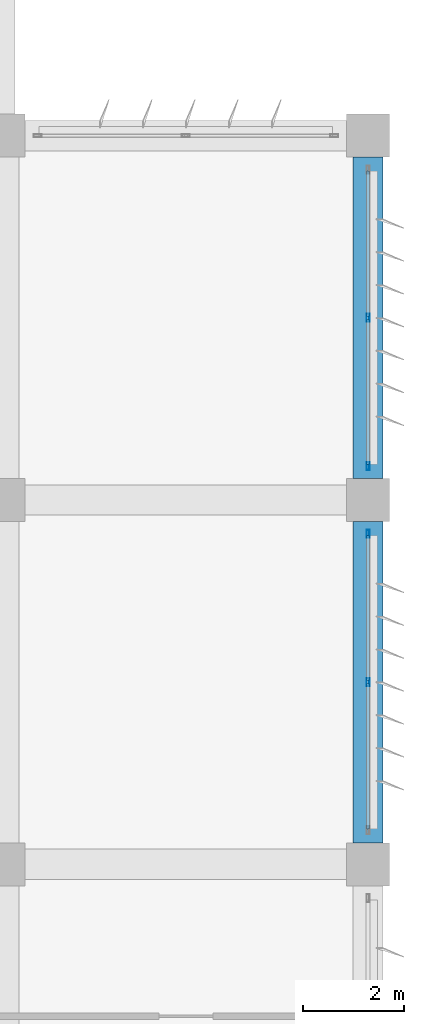
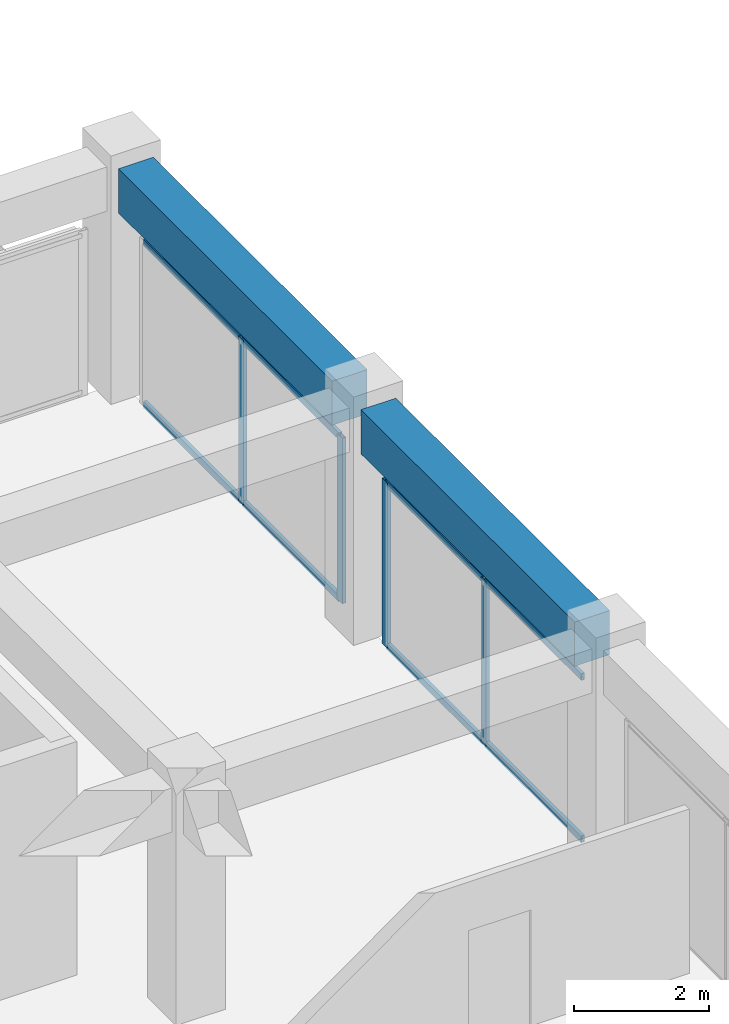
# One storey, part 22 of 48: 12 members, 2 beams, 2 elements without a shape of their own.
"""IFC4 building model written with IfcOpenShell, lengths in metres."""

from ifc_helpers import new_model, si_unit, direction, frame, origin, origin_2d, place, context, subcontext, project, spatial, rectangle, hollow_rectangle, extrude, material, material_profile, profile_set, type_object, element, aggregate, save


model = new_model("IFC4")

# Units and contexts
model_context = context("Model", 3, precision=1e-05, world=origin(), true_north=direction((0.0, 1.0)))
body_context = subcontext(model_context, "Body", "Model", "MODEL_VIEW")
ifc_project = project(units=[si_unit("LENGTHUNIT", "METRE"), si_unit("AREAUNIT", "SQUARE_METRE"), si_unit("VOLUMEUNIT", "CUBIC_METRE"), si_unit("PLANEANGLEUNIT", "RADIAN"), si_unit("MASSUNIT", "GRAM", prefix="KILO")], contexts=[model_context])

# Site, building, storey
site_placement = place(None, origin())
site = spatial("IfcSite", under=ifc_project, at=site_placement, CompositionType="ELEMENT")
building_placement = place(site_placement, origin())
building = spatial("IfcBuilding", under=site, at=building_placement, Name="Kazehaya Institute of Natural Sciences", CompositionType="ELEMENT")
storey_placement = place(building_placement, frame((0.0, 0.0, 19.800048828125)))
storey = spatial("IfcBuildingStorey", under=building, at=storey_placement, Name="L04", CompositionType="ELEMENT", Elevation=19.800048828125)

# Beams
ifc_material_1 = material(Name="Concrete Fc36", Category="concrete")
ifc_material_profile_1 = material_profile(ifc_material_1, rectangle(XDim=0.60009765625, YDim=0.800048828125, at=origin_2d()), Name="RC-600x800")
ifc_profile_set_1 = profile_set([ifc_material_profile_1], Name="Concrete Fc36")
beam_type = type_object("IfcBeamType", Name="BM-G-600x800", PredefinedType="BEAM", material=ifc_profile_set_1)
for number, where, z_axis, x_axis, name in (
    (1, (119.39990234375, 21.625, 3.829833984375), (0.0, 1.0, 0.0), (-1.0, 0.0, 0.0), "L04 primary Y girder BMY-L04-1194-212"),
    (2, (119.39990234375, 28.824951171875, 3.829833984375), (0.0, 1.0, 0.0), (-1.0, 0.0, 0.0), "L04 primary Y girder BMY-L04-1194-284"),
):
    element("IfcBeam", number, at=place(storey_placement, frame(where, z_axis=z_axis, x_axis=x_axis)), inside=storey, type_object=beam_type, Name=name, PredefinedType="BEAM", context=body_context, shape_type="SweptSolid", body=[
        extrude(rectangle(XDim=0.60009765625, YDim=0.800048828125, at=origin_2d()), origin(), (0.0, 0.0, 1.0), 6.35009765625),
    ])

# Curtain wall, members
ifc_material_2 = material(Name="Aluminium alloy A6063S-T5", Category="aluminium")
curtain_wall_type = type_object("IfcCurtainWallType", Name="CW-SYS-10", PredefinedType="NOTDEFINED", material=ifc_material_2)
curtain_wall_1_placement = place(storey_placement, origin())
curtain_wall_1 = element("IfcCurtainWall", 3, at=curtain_wall_1_placement, inside=storey, type_object=curtain_wall_type, Name="L04 unitised curtain wall CW-L04-091", PredefinedType="NOTDEFINED")
ifc_material_profile_2 = material_profile(ifc_material_2, hollow_rectangle(XDim=0.06005859375, YDim=0.159912109375, WallThickness=0.00390625, at=origin_2d()), Name="ALU-60x160x4")
ifc_profile_set_2 = profile_set([ifc_material_profile_2], Name="Aluminium alloy A6063S-T5")
member_type_1 = type_object("IfcMemberType", Name="CWM-160", PredefinedType="MULLION", material=ifc_profile_set_2)
member_1_placement = place(storey_placement, frame((119.39990234375, 27.72998046875, 0.0), z_axis=(0.0, 0.0, 1.0), x_axis=(1.0, 0.0, 0.0)))
member_1 = element("IfcMember", 4, at=member_1_placement, type_object=member_type_1, Name="CW10 mullion 1", PredefinedType="MULLION", context=body_context, shape_type="SweptSolid", body=[
    extrude(hollow_rectangle(XDim=0.06005859375, YDim=0.159912109375, WallThickness=0.00390625, at=origin_2d()), origin(), (0.0, 0.0, 1.0), 3.0),
])
member_2_placement = place(storey_placement, frame((119.39990234375, 24.800048828125, 0.0), z_axis=(0.0, 0.0, 1.0), x_axis=(1.0, 0.0, 0.0)))
member_2 = element("IfcMember", 5, at=member_2_placement, type_object=member_type_1, Name="CW10 mullion 2", PredefinedType="MULLION", context=body_context, shape_type="SweptSolid", body=[
    extrude(hollow_rectangle(XDim=0.06005859375, YDim=0.159912109375, WallThickness=0.00390625, at=origin_2d()), origin(), (0.0, 0.0, 1.0), 3.0),
])

curtain_wall_2_placement = place(storey_placement, origin())
curtain_wall_2 = element("IfcCurtainWall", 6, at=curtain_wall_2_placement, inside=storey, type_object=curtain_wall_type, Name="L04 unitised curtain wall CW-L04-093", PredefinedType="NOTDEFINED")
member_3_placement = place(storey_placement, frame((119.39990234375, 32.0, 0.0), z_axis=(0.0, 0.0, 1.0), x_axis=(1.0, 0.0, 0.0)))
member_3 = element("IfcMember", 7, at=member_3_placement, type_object=member_type_1, Name="CW10 mullion 2", PredefinedType="MULLION", context=body_context, shape_type="SweptSolid", body=[
    extrude(hollow_rectangle(XDim=0.06005859375, YDim=0.159912109375, WallThickness=0.00390625, at=origin_2d()), origin(), (0.0, 0.0, 1.0), 3.0),
])
member_4_placement = place(storey_placement, frame((119.39990234375, 29.070068359375, 0.0), z_axis=(0.0, 0.0, 1.0), x_axis=(1.0, 0.0, 0.0)))
member_4 = element("IfcMember", 8, at=member_4_placement, type_object=member_type_1, Name="CW10 mullion 3", PredefinedType="MULLION", context=body_context, shape_type="SweptSolid", body=[
    extrude(hollow_rectangle(XDim=0.06005859375, YDim=0.159912109375, WallThickness=0.00390625, at=origin_2d()), origin(), (0.0, 0.0, 1.0), 3.0),
])

# Member
ifc_material_profile_3 = material_profile(ifc_material_2, hollow_rectangle(XDim=0.06005859375, YDim=0.1201171875, WallThickness=0.00341796875, at=origin_2d()), Name="ALU-60x120x3.5")
ifc_profile_set_3 = profile_set([ifc_material_profile_3], Name="Aluminium alloy A6063S-T5")
member_type_2 = type_object("IfcMemberType", Name="CWT-120", PredefinedType="USERDEFINED", material=ifc_profile_set_3)
member_5_placement = place(storey_placement, frame((119.39990234375, 27.699951171875, 0.030029296875), z_axis=(0.0, -1.0, 0.0), x_axis=(1.0, 0.0, 0.0)))
member_5 = element("IfcMember", 9, at=member_5_placement, type_object=member_type_2, Name="CW10 transom 1.1", ObjectType="TRANSOM", PredefinedType="USERDEFINED", context=body_context, shape_type="SweptSolid", body=[
    extrude(hollow_rectangle(XDim=0.06005859375, YDim=0.1201171875, WallThickness=0.00341796875, at=origin_2d()), origin(), (0.0, 0.0, 1.0), 2.869873046875),
])

member_6_placement = place(storey_placement, frame((119.39990234375, 27.699951171875, 2.969970703125), z_axis=(0.0, -1.0, 0.0), x_axis=(1.0, 0.0, 0.0)))
member_6 = element("IfcMember", 10, at=member_6_placement, type_object=member_type_2, Name="CW10 transom 1.2", ObjectType="TRANSOM", PredefinedType="USERDEFINED", context=body_context, shape_type="SweptSolid", body=[
    extrude(hollow_rectangle(XDim=0.06005859375, YDim=0.1201171875, WallThickness=0.00341796875, at=origin_2d()), origin(), (0.0, 0.0, 1.0), 2.869873046875),
])

member_7_placement = place(storey_placement, frame((119.39990234375, 24.77001953125, 0.030029296875), z_axis=(0.0, -1.0, 0.0), x_axis=(1.0, 0.0, 0.0)))
member_7 = element("IfcMember", 11, at=member_7_placement, type_object=member_type_2, Name="CW10 transom 2.1", ObjectType="TRANSOM", PredefinedType="USERDEFINED", context=body_context, shape_type="SweptSolid", body=[
    extrude(hollow_rectangle(XDim=0.06005859375, YDim=0.1201171875, WallThickness=0.00341796875, at=origin_2d()), origin(), (0.0, 0.0, 1.0), 2.8701171875),
])

member_8_placement = place(storey_placement, frame((119.39990234375, 24.77001953125, 2.969970703125), z_axis=(0.0, -1.0, 0.0), x_axis=(1.0, 0.0, 0.0)))
member_8 = element("IfcMember", 12, at=member_8_placement, type_object=member_type_2, Name="CW10 transom 2.2", ObjectType="TRANSOM", PredefinedType="USERDEFINED", context=body_context, shape_type="SweptSolid", body=[
    extrude(hollow_rectangle(XDim=0.06005859375, YDim=0.1201171875, WallThickness=0.00341796875, at=origin_2d()), origin(), (0.0, 0.0, 1.0), 2.8701171875),
])

aggregate(curtain_wall_1, [member_1, member_2, member_5, member_6, member_7, member_8])

member_9_placement = place(storey_placement, frame((119.39990234375, 34.89990234375, 0.030029296875), z_axis=(0.0, -1.0, 0.0), x_axis=(1.0, 0.0, 0.0)))
member_9 = element("IfcMember", 13, at=member_9_placement, type_object=member_type_2, Name="CW10 transom 1.1", ObjectType="TRANSOM", PredefinedType="USERDEFINED", context=body_context, shape_type="SweptSolid", body=[
    extrude(hollow_rectangle(XDim=0.06005859375, YDim=0.1201171875, WallThickness=0.00341796875, at=origin_2d()), origin(), (0.0, 0.0, 1.0), 2.869873046875),
])

member_10_placement = place(storey_placement, frame((119.39990234375, 34.89990234375, 2.969970703125), z_axis=(0.0, -1.0, 0.0), x_axis=(1.0, 0.0, 0.0)))
member_10 = element("IfcMember", 14, at=member_10_placement, type_object=member_type_2, Name="CW10 transom 1.2", ObjectType="TRANSOM", PredefinedType="USERDEFINED", context=body_context, shape_type="SweptSolid", body=[
    extrude(hollow_rectangle(XDim=0.06005859375, YDim=0.1201171875, WallThickness=0.00341796875, at=origin_2d()), origin(), (0.0, 0.0, 1.0), 2.869873046875),
])

member_11_placement = place(storey_placement, frame((119.39990234375, 31.969970703125, 0.030029296875), z_axis=(0.0, -1.0, 0.0), x_axis=(1.0, 0.0, 0.0)))
member_11 = element("IfcMember", 15, at=member_11_placement, type_object=member_type_2, Name="CW10 transom 2.1", ObjectType="TRANSOM", PredefinedType="USERDEFINED", context=body_context, shape_type="SweptSolid", body=[
    extrude(hollow_rectangle(XDim=0.06005859375, YDim=0.1201171875, WallThickness=0.00341796875, at=origin_2d()), origin(), (0.0, 0.0, 1.0), 2.869873046875),
])

member_12_placement = place(storey_placement, frame((119.39990234375, 31.969970703125, 2.969970703125), z_axis=(0.0, -1.0, 0.0), x_axis=(1.0, 0.0, 0.0)))
member_12 = element("IfcMember", 16, at=member_12_placement, type_object=member_type_2, Name="CW10 transom 2.2", ObjectType="TRANSOM", PredefinedType="USERDEFINED", context=body_context, shape_type="SweptSolid", body=[
    extrude(hollow_rectangle(XDim=0.06005859375, YDim=0.1201171875, WallThickness=0.00341796875, at=origin_2d()), origin(), (0.0, 0.0, 1.0), 2.869873046875),
])

aggregate(curtain_wall_2, [member_3, member_4, member_9, member_10, member_11, member_12])

save(model, "model.ifc")
